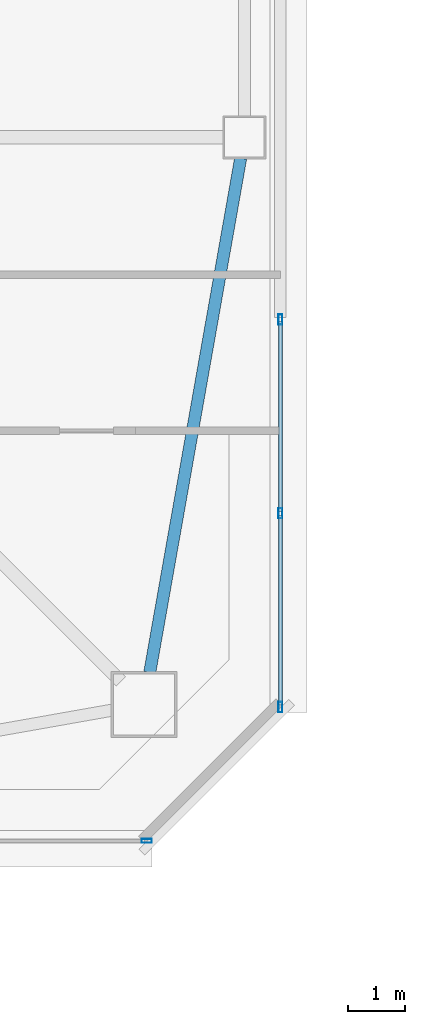
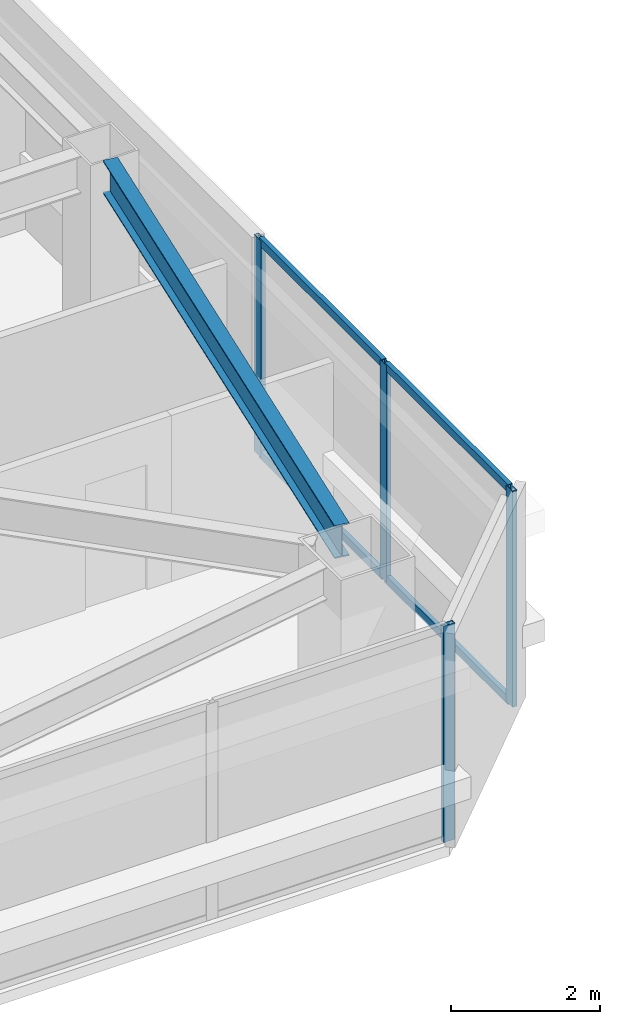
# One storey, part 11 of 44: 8 members, 1 beam, 2 elements without a shape of their own.
"""IFC4 building model written with IfcOpenShell, lengths in metres."""

from ifc_helpers import new_model, si_unit, direction, frame, origin, origin_2d, place, context, subcontext, project, spatial, hollow_rectangle, i_section, extrude, material, material_profile, profile_set, type_object, element, aggregate, save


model = new_model("IFC4")

# Units and contexts
model_context = context("Model", 3, precision=1e-05, world=origin(), true_north=direction((0.0, 1.0)))
body_context = subcontext(model_context, "Body", "Model", "MODEL_VIEW")
ifc_project = project(units=[si_unit("LENGTHUNIT", "METRE"), si_unit("AREAUNIT", "SQUARE_METRE"), si_unit("VOLUMEUNIT", "CUBIC_METRE"), si_unit("PLANEANGLEUNIT", "RADIAN"), si_unit("MASSUNIT", "GRAM", prefix="KILO")], contexts=[model_context])

# Site, building, storey
site_placement = place(None, origin())
site = spatial("IfcSite", under=ifc_project, at=site_placement, CompositionType="ELEMENT")
building_placement = place(site_placement, origin())
building = spatial("IfcBuilding", under=site, at=building_placement, Name="Tashvorn Skyway Center", CompositionType="ELEMENT")
storey_placement = place(building_placement, frame((0.0, 0.0, 181.85009765625)))
storey = spatial("IfcBuildingStorey", under=building, at=storey_placement, Name="L49", CompositionType="ELEMENT", Elevation=181.85009765625)

# Beam
ifc_material_1 = material(Name="Steel ASTM A992 Grade 50", Category="steel")
ifc_material_profile_1 = material_profile(ifc_material_1, i_section(OverallWidth=0.2109375, OverallDepth=0.5390625, WebThickness=0.01171875, FlangeThickness=0.018798828125, at=origin_2d()), Name="W21X73")
ifc_profile_set_1 = profile_set([ifc_material_profile_1], Name="Steel ASTM A992 Grade 50")
beam_type = type_object("IfcBeamType", Name="BM-SPANDREL-W21X73", PredefinedType="SPANDREL", material=ifc_profile_set_1)
beam_placement = place(storey_placement, frame((57.399169921875, 17.26123046875, 3.100341796875), z_axis=(0.174074160933, 0.984732545667, 0.0), x_axis=(-0.984732545667, 0.174074160933, 0.0)))
element("IfcBeam", 1, at=beam_placement, inside=storey, type_object=beam_type, Name="Tower 1 L49 Spandrel Beam 04", PredefinedType="SPANDREL", context=body_context, shape_type="SweptSolid", body=[
    extrude(i_section(OverallWidth=0.2109375, OverallDepth=0.5390625, WebThickness=0.01171875, FlangeThickness=0.018798828125, at=origin_2d()), origin(), (0.0, 0.0, 1.0), 9.113525390625),
])

# Curtain wall, member
ifc_material_2 = material(Name="Thermally broken bronze-anodized aluminium 6063-T6", Category="aluminium")
curtain_wall_type = type_object("IfcCurtainWallType", Name="CW-CW-Z4", PredefinedType="NOTDEFINED", material=ifc_material_2)
curtain_wall_1_placement = place(storey_placement, origin())
curtain_wall_1 = element("IfcCurtainWall", 2, at=curtain_wall_1_placement, inside=storey, type_object=curtain_wall_type, Name="Tower 1 L49 South Curtain Wall L Glazing Group 1", PredefinedType="NOTDEFINED")
ifc_material_profile_2 = material_profile(ifc_material_2, hollow_rectangle(XDim=0.070068359375, YDim=0.179931640625, WallThickness=0.00390625, at=origin_2d()), Name="ALU-MULL-70x180")
ifc_profile_set_2 = profile_set([ifc_material_profile_2], Name="Thermally broken bronze-anodized aluminium 6063-T6")
member_type_1 = type_object("IfcMemberType", Name="CWM-CW-Z4", PredefinedType="MULLION", material=ifc_profile_set_2)
member_1_placement = place(storey_placement, frame((57.344970703125, 14.320068359375, 0.0), z_axis=(0.0, 0.0, 1.0), x_axis=(0.0, -1.0, 0.0)))
member_1 = element("IfcMember", 3, at=member_1_placement, type_object=member_type_1, Name="CW-Z4 mullion 1", PredefinedType="MULLION", context=body_context, shape_type="SweptSolid", body=[
    extrude(hollow_rectangle(XDim=0.070068359375, YDim=0.179931640625, WallThickness=0.00390625, at=origin_2d()), origin(), (0.0, 0.0, 1.0), 3.5498046875),
])
aggregate(curtain_wall_1, [member_1])

# Curtain wall, members
curtain_wall_2_placement = place(storey_placement, origin())
curtain_wall_2 = element("IfcCurtainWall", 4, at=curtain_wall_2_placement, inside=storey, type_object=curtain_wall_type, Name="Tower 1 L49 East Unitised Curtain Wall Glazing Group 3", PredefinedType="NOTDEFINED")
member_2_placement = place(storey_placement, frame((59.679931640625, 23.420654296875, 0.0), z_axis=(0.0, 0.0, 1.0), x_axis=(1.0, 0.0, 0.0)))
member_2 = element("IfcMember", 5, at=member_2_placement, type_object=member_type_1, Name="CW-Z4 mullion 1", PredefinedType="MULLION", context=body_context, shape_type="SweptSolid", body=[
    extrude(hollow_rectangle(XDim=0.070068359375, YDim=0.179931640625, WallThickness=0.00390625, at=origin_2d()), origin(), (0.0, 0.0, 1.0), 3.5498046875),
])
member_3_placement = place(storey_placement, frame((59.679931640625, 20.037841796875, 0.0), z_axis=(0.0, 0.0, 1.0), x_axis=(1.0, 0.0, 0.0)))
member_3 = element("IfcMember", 6, at=member_3_placement, type_object=member_type_1, Name="CW-Z4 mullion 2", PredefinedType="MULLION", context=body_context, shape_type="SweptSolid", body=[
    extrude(hollow_rectangle(XDim=0.070068359375, YDim=0.179931640625, WallThickness=0.00390625, at=origin_2d()), origin(), (0.0, 0.0, 1.0), 3.5498046875),
])
member_4_placement = place(storey_placement, frame((59.679931640625, 16.655029296875, 0.0), z_axis=(0.0, 0.0, 1.0), x_axis=(1.0, 0.0, 0.0)))
member_4 = element("IfcMember", 7, at=member_4_placement, type_object=member_type_1, Name="CW-Z4 mullion 3", PredefinedType="MULLION", context=body_context, shape_type="SweptSolid", body=[
    extrude(hollow_rectangle(XDim=0.070068359375, YDim=0.179931640625, WallThickness=0.00390625, at=origin_2d()), origin(), (0.0, 0.0, 1.0), 3.5498046875),
])
ifc_material_profile_3 = material_profile(ifc_material_2, hollow_rectangle(XDim=0.070068359375, YDim=0.1298828125, WallThickness=0.00390625, at=origin_2d()), Name="ALU-TRAN-70x130")
ifc_profile_set_3 = profile_set([ifc_material_profile_3], Name="Thermally broken bronze-anodized aluminium 6063-T6")
member_type_2 = type_object("IfcMemberType", Name="CWT-CW-Z4", PredefinedType="USERDEFINED", material=ifc_profile_set_3)
member_5_placement = place(storey_placement, frame((59.679931640625, 23.385498046875, 0.034912109375), z_axis=(0.0, -1.0, 0.0), x_axis=(1.0, 0.0, 0.0)))
member_5 = element("IfcMember", 8, at=member_5_placement, type_object=member_type_2, Name="CW-Z4 transom 1.1", ObjectType="TRANSOM", PredefinedType="USERDEFINED", context=body_context, shape_type="SweptSolid", body=[
    extrude(hollow_rectangle(XDim=0.070068359375, YDim=0.1298828125, WallThickness=0.00390625, at=origin_2d()), origin(), (0.0, 0.0, 1.0), 3.312744140625),
])
member_6_placement = place(storey_placement, frame((59.679931640625, 23.385498046875, 3.514892578125), z_axis=(0.0, -1.0, 0.0), x_axis=(1.0, 0.0, 0.0)))
member_6 = element("IfcMember", 9, at=member_6_placement, type_object=member_type_2, Name="CW-Z4 transom 1.2", ObjectType="TRANSOM", PredefinedType="USERDEFINED", context=body_context, shape_type="SweptSolid", body=[
    extrude(hollow_rectangle(XDim=0.070068359375, YDim=0.1298828125, WallThickness=0.00390625, at=origin_2d()), origin(), (0.0, 0.0, 1.0), 3.312744140625),
])
member_7_placement = place(storey_placement, frame((59.679931640625, 20.002685546875, 0.034912109375), z_axis=(0.0, -1.0, 0.0), x_axis=(1.0, 0.0, 0.0)))
member_7 = element("IfcMember", 10, at=member_7_placement, type_object=member_type_2, Name="CW-Z4 transom 2.1", ObjectType="TRANSOM", PredefinedType="USERDEFINED", context=body_context, shape_type="SweptSolid", body=[
    extrude(hollow_rectangle(XDim=0.070068359375, YDim=0.1298828125, WallThickness=0.00390625, at=origin_2d()), origin(), (0.0, 0.0, 1.0), 3.312744140625),
])
member_8_placement = place(storey_placement, frame((59.679931640625, 20.002685546875, 3.514892578125), z_axis=(0.0, -1.0, 0.0), x_axis=(1.0, 0.0, 0.0)))
member_8 = element("IfcMember", 11, at=member_8_placement, type_object=member_type_2, Name="CW-Z4 transom 2.2", ObjectType="TRANSOM", PredefinedType="USERDEFINED", context=body_context, shape_type="SweptSolid", body=[
    extrude(hollow_rectangle(XDim=0.070068359375, YDim=0.1298828125, WallThickness=0.00390625, at=origin_2d()), origin(), (0.0, 0.0, 1.0), 3.312744140625),
])
aggregate(curtain_wall_2, [member_2, member_3, member_4, member_5, member_6, member_7, member_8])

save(model, "model.ifc")
